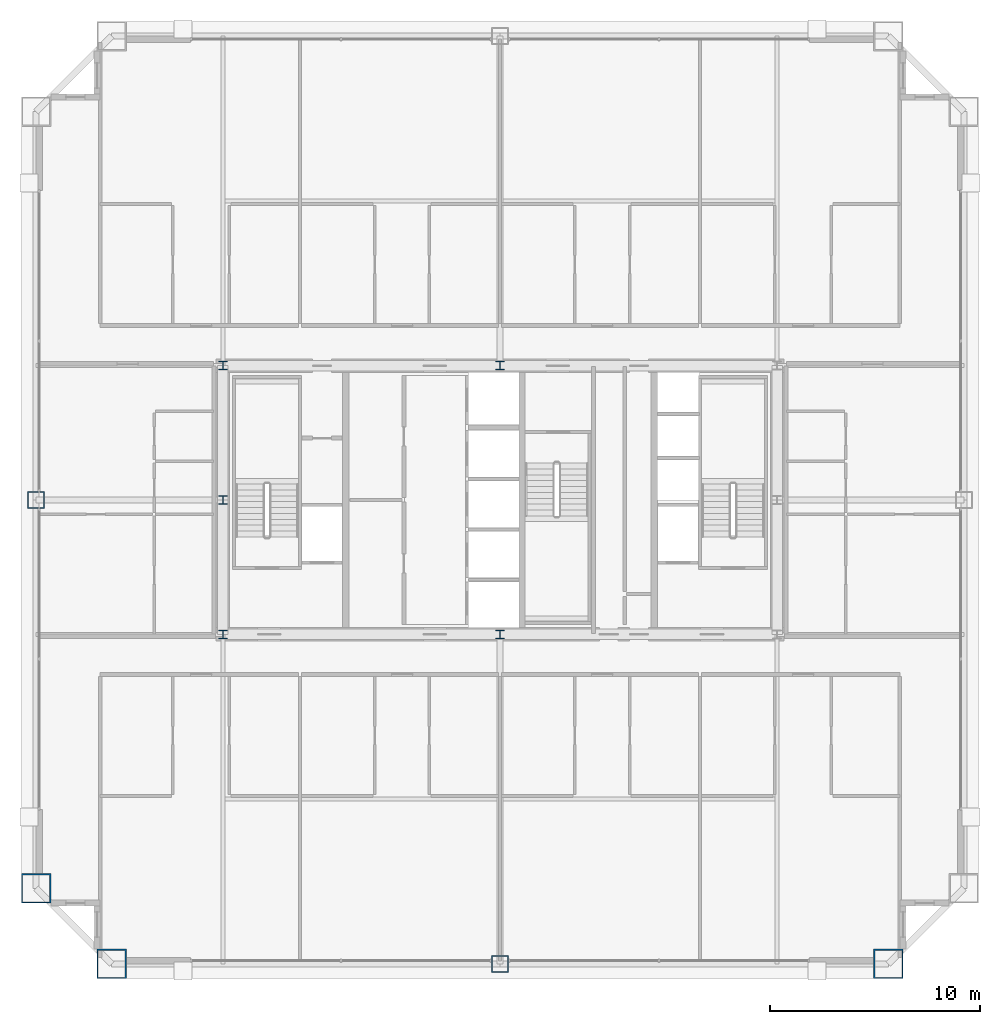
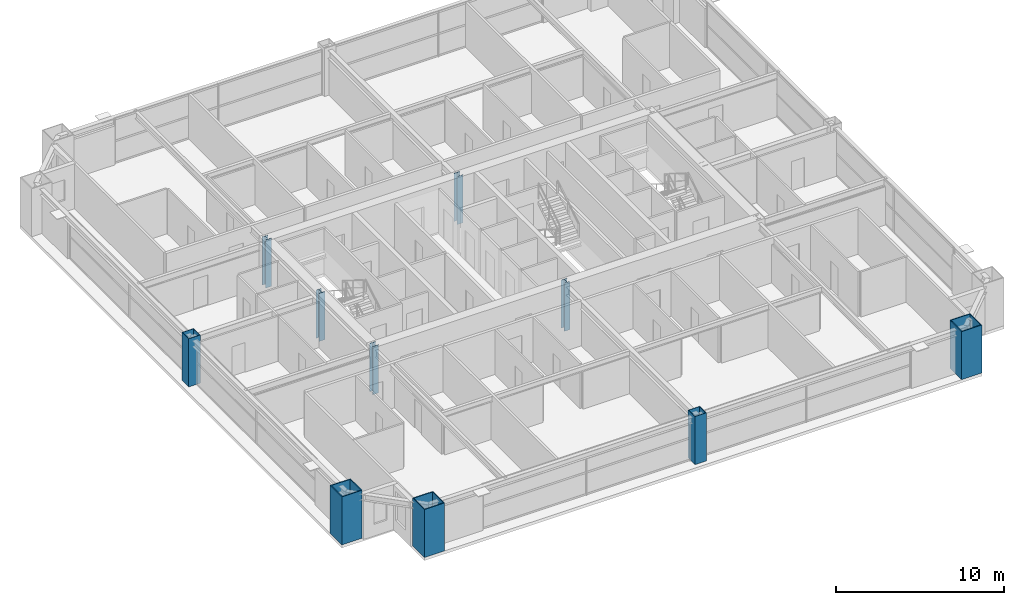
# One storey, part 1 of 38: 10 columns.
"""IFC4 building model written with IfcOpenShell, lengths in metres."""

import ifcopenshell
import ifcopenshell.guid

model = None  # the IFC model being written
_history = None  # IfcOwnerHistory: only IFC2X3 demands one
_inside = {}  # id of a spatial element -> (the spatial element, [elements in it])
_under = {}  # id of a project, library or spatial element -> (it, [spatial elements below it])
_declared = {}  # id of a project -> (the project, [libraries it declares])
_typed = {}  # id of a type object -> (the type object, [elements of that type])
_made_of = {}  # id of a material, layer set ... -> (it, [elements and type objects made of it])


def new_model(schema):
    """Start an empty IFC model of exactly this schema.

    Asked for "IFC4X3", IfcOpenShell would pick the latest addendum, in which some entities
    have other attributes; the version numbers below select the first issue.
    IFC2X3 requires an IfcOwnerHistory on every rooted entity: one is made here for all.
    """
    global model, _history
    if schema == "IFC4X3":
        model = ifcopenshell.file(schema_version=(4, 3, 0, 0))
    else:
        model = ifcopenshell.file(schema=schema)
    _inside.clear()
    _under.clear()
    _declared.clear()
    _typed.clear()
    _made_of.clear()
    _history = None
    if model.schema == "IFC2X3":
        org = make("IfcOrganization", Name="unknown")
        user = make(
            "IfcPersonAndOrganization",
            ThePerson=make("IfcPerson", FamilyName="unknown"),
            TheOrganization=org,
        )
        app = make(
            "IfcApplication",
            ApplicationDeveloper=org,
            Version="unknown",
            ApplicationFullName="unknown",
            ApplicationIdentifier="unknown",
        )
        _history = make(
            "IfcOwnerHistory",
            OwningUser=user,
            OwningApplication=app,
            ChangeAction="ADDED",
            CreationDate=0,
        )
    return model


def make(cls, **values):
    """One entity of the class cls with the attributes given. An attribute that is None is left unset."""
    return model.create_entity(
        cls, **{name: value for name, value in values.items() if value is not None}
    )


def rooted(cls, **values):
    """An entity with a GlobalId (a new one), such as an element, a storey or a relation."""
    return make(cls, GlobalId=ifcopenshell.guid.new(), OwnerHistory=_history, **values)


def si_unit(unit_type, name, prefix=None):
    """IfcSIUnit, for example si_unit("LENGTHUNIT", "METRE", prefix="MILLI")."""
    return make("IfcSIUnit", UnitType=unit_type, Prefix=prefix, Name=name)


def assignment(units):
    """IfcUnitAssignment: the units of a project."""
    return None if units is None else make("IfcUnitAssignment", Units=units)


def point(xyz):
    """IfcCartesianPoint."""
    return None if xyz is None else make("IfcCartesianPoint", Coordinates=xyz)


def direction(xyz):
    """IfcDirection."""
    return None if xyz is None else make("IfcDirection", DirectionRatios=xyz)


def frame(location, z_axis=None, x_axis=None):
    """IfcAxis2Placement3D, a coordinate frame: its origin and axes. An axis left out is left unset."""
    return make(
        "IfcAxis2Placement3D",
        Location=point(location),
        Axis=direction(z_axis),
        RefDirection=direction(x_axis),
    )


def frame_2d(location, x_axis=None):
    """IfcAxis2Placement2D, a coordinate frame in the plane: its origin and x axis."""
    return make(
        "IfcAxis2Placement2D", Location=point(location), RefDirection=direction(x_axis)
    )


def origin():
    """The frame at (0, 0, 0) with its axes left unset."""
    return frame((0.0, 0.0, 0.0))


def origin_2d():
    """The frame at (0, 0) in the plane with its x axis left unset."""
    return frame_2d((0.0, 0.0))


def place(relative_to, where):
    """IfcLocalPlacement: puts the frame where relative to a parent placement (None: the world)."""
    return make(
        "IfcLocalPlacement", PlacementRelTo=relative_to, RelativePlacement=where
    )


def context(
    kind, dimensions, precision=None, world=None, true_north=None, identifier=None
):
    """IfcGeometricRepresentationContext, for example the 3D "Model" context."""
    return make(
        "IfcGeometricRepresentationContext",
        ContextIdentifier=identifier,
        ContextType=kind,
        CoordinateSpaceDimension=dimensions,
        Precision=precision,
        WorldCoordinateSystem=world,
        TrueNorth=true_north,
    )


def subcontext(parent, identifier, kind, view, scale=None):
    """IfcGeometricRepresentationSubContext, for example "Body" below "Model"."""
    return make(
        "IfcGeometricRepresentationSubContext",
        ContextIdentifier=identifier,
        ContextType=kind,
        ParentContext=parent,
        TargetScale=scale,
        TargetView=view,
    )


def project(units=None, contexts=None):
    """IfcProject with its units and contexts."""
    return rooted(
        "IfcProject",
        Name="project",
        RepresentationContexts=contexts,
        UnitsInContext=assignment(units),
    )


def spatial(cls, under=None, at=None, **own):
    """A site, building, storey or space (cls), placed at a placement, below another one or the project."""
    s = rooted(cls, ObjectPlacement=at, **own)
    if under is not None:
        _under.setdefault(under.id(), (under, []))[1].append(s)
    return s


def profile(cls, at=None, kind="AREA", **sizes):
    """A parametric profile (cls). Its sizes go by their IFC names, for example OverallWidth=200.0."""
    return make(cls, ProfileType=kind, Position=at, **sizes)


def hollow_rectangle(**sizes):
    """IfcRectangleHollowProfileDef."""
    return profile("IfcRectangleHollowProfileDef", **sizes)


def i_section(**sizes):
    """IfcIShapeProfileDef."""
    return profile("IfcIShapeProfileDef", **sizes)


def extrude(swept, where, along, depth):
    """IfcExtrudedAreaSolid: the profile swept, set in the frame where, extruded along a direction by depth."""
    return make(
        "IfcExtrudedAreaSolid",
        SweptArea=swept,
        Position=where,
        ExtrudedDirection=direction(along),
        Depth=depth,
    )


def shape(context_of_items, identifier, shape_type, items):
    """IfcShapeRepresentation: the items that make up one representation, for example the "Body"."""
    return make(
        "IfcShapeRepresentation",
        ContextOfItems=context_of_items,
        RepresentationIdentifier=identifier,
        RepresentationType=shape_type,
        Items=items,
    )


def source(mapping_origin, context_of_items, identifier, shape_type, items):
    """IfcRepresentationMap: a shape defined once, which mapped items show again and again."""
    return make(
        "IfcRepresentationMap",
        MappingOrigin=mapping_origin,
        MappedRepresentation=shape(context_of_items, identifier, shape_type, items),
    )


def transform(
    local_origin,
    x_axis=None,
    y_axis=None,
    z_axis=None,
    scale=None,
    scale2=None,
    scale3=None,
    uniform=True,
):
    """IfcCartesianTransformationOperator3D, or its non-uniform kind. x_axis, y_axis, z_axis: its Axis1, 2, 3."""
    if uniform:
        return make(
            "IfcCartesianTransformationOperator3D",
            Axis1=direction(x_axis),
            Axis2=direction(y_axis),
            LocalOrigin=point(local_origin),
            Scale=scale,
            Axis3=direction(z_axis),
        )
    return make(
        "IfcCartesianTransformationOperator3DnonUniform",
        Axis1=direction(x_axis),
        Axis2=direction(y_axis),
        LocalOrigin=point(local_origin),
        Scale=scale,
        Axis3=direction(z_axis),
        Scale2=scale2,
        Scale3=scale3,
    )


def mapped(mapping_source, mapping_target):
    """IfcMappedItem: shows the shape of a source again, moved by a transform."""
    return make(
        "IfcMappedItem", MappingSource=mapping_source, MappingTarget=mapping_target
    )


def material(Name=None, Category=None):
    """IfcMaterial."""
    return make("IfcMaterial", Name=Name, Category=Category)


def material_profile(
    of_material, cross_section, Name=None, Category=None, Priority=None
):
    """IfcMaterialProfile: a cross section and its material."""
    return make(
        "IfcMaterialProfile",
        Name=Name,
        Material=of_material,
        Profile=cross_section,
        Priority=Priority,
        Category=Category,
    )


def profile_set(profiles, Name=None, composite=None):
    """IfcMaterialProfileSet."""
    return make(
        "IfcMaterialProfileSet",
        Name=Name,
        MaterialProfiles=profiles,
        CompositeProfile=composite,
    )


def made_of(thing, what):
    """Note that an element or type object is made of a material, layer set ...; save() writes the relation."""
    if what is not None:
        _made_of.setdefault(what.id(), (what, []))[1].append(thing)
    return thing


def type_object(cls, material=None, **own):
    """A type object (cls), such as IfcWallType, which elements share."""
    return made_of(rooted(cls, **own), material)


def element(
    cls,
    number,
    at=None,
    inside=None,
    cuts=None,
    type_object=None,
    material=None,
    context=None,
    identifier="Body",
    shape_type=None,
    held_by="IfcProductDefinitionShape",
    body=None,
    shapes=None,
    **own,
):
    """One element of the class cls, such as IfcWall. Its Tag is "e" and its number.

    at: its placement. inside: the storey or other place that contains it. cuts: it is an
    opening in that element (IfcRelVoidsElement). A single representation is given by context,
    identifier, shape_type and body (its items); several are given by shapes. held_by: the class
    of the entity that holds the representations. save() writes the other relations.
    """
    e = rooted(cls, Tag="e%d" % number, ObjectPlacement=at, **own)
    if body is not None:
        shapes = [shape(context, identifier, shape_type, body)]
    if shapes is not None:
        e.Representation = make(held_by, Representations=shapes)
    if inside is not None:
        _inside.setdefault(inside.id(), (inside, []))[1].append(e)
    if cuts is not None:
        rooted(
            "IfcRelVoidsElement", RelatingBuildingElement=cuts, RelatedOpeningElement=e
        )
    if type_object is not None:
        _typed.setdefault(type_object.id(), (type_object, []))[1].append(e)
    return made_of(e, material)


def aggregate(whole, parts):
    """IfcRelAggregates: a whole, such as a stair, and the parts it consists of."""
    return rooted("IfcRelAggregates", RelatingObject=whole, RelatedObjects=parts)


def save(model, path):
    """Write the relations noted so far, then the file.

    IfcRelAggregates (storeys below a building ...), IfcRelContainedInSpatialStructure (elements
    in a storey), IfcRelDefinesByType, IfcRelAssociatesMaterial and IfcRelDeclares: one each for
    every whole, place, type object, material and project.
    """
    for whole, parts in _under.values():
        aggregate(whole, parts)
    for where, things in _inside.values():
        rooted(
            "IfcRelContainedInSpatialStructure",
            RelatedElements=things,
            RelatingStructure=where,
        )
    for kind, things in _typed.values():
        rooted("IfcRelDefinesByType", RelatedObjects=things, RelatingType=kind)
    for what, things in _made_of.values():
        rooted("IfcRelAssociatesMaterial", RelatedObjects=things, RelatingMaterial=what)
    for by, libraries in _declared.values():
        rooted("IfcRelDeclares", RelatingContext=by, RelatedDefinitions=libraries)
    model.write(path)


model = new_model("IFC4")

# Units and contexts
model_context = context("Model", 3, precision=1e-05, world=origin(), true_north=direction((0.0, 1.0)))
body_context = subcontext(model_context, "Body", "Model", "MODEL_VIEW")
ifc_project = project(units=[si_unit("LENGTHUNIT", "METRE"), si_unit("AREAUNIT", "SQUARE_METRE"), si_unit("VOLUMEUNIT", "CUBIC_METRE"), si_unit("PLANEANGLEUNIT", "RADIAN"), si_unit("MASSUNIT", "GRAM", prefix="KILO"), si_unit("THERMODYNAMICTEMPERATUREUNIT", "KELVIN"), si_unit("POWERUNIT", "WATT")], contexts=[model_context])

# Site, building, storey
site_placement = place(None, origin())
site = spatial("IfcSite", under=ifc_project, at=site_placement, CompositionType="ELEMENT")
building_placement = place(site_placement, origin())
building = spatial("IfcBuilding", under=site, at=building_placement, Name="Yuzanri Waterfront Tower", CompositionType="ELEMENT")
storey_placement = place(building_placement, frame((0.0, 0.0, 181.0)))
storey = spatial("IfcBuildingStorey", under=building, at=storey_placement, Name="L47", CompositionType="ELEMENT", Elevation=181.0)

# Columns
ifc_material_1 = material(Name="Steel Q355B", Category="steel")
ifc_material_profile_1 = material_profile(ifc_material_1, i_section(OverallWidth=0.39990234375, OverallDepth=0.39990234375, WebThickness=0.012939453125, FlangeThickness=0.02099609375, at=origin_2d()), Name="HW 400x400x13x21")
ifc_profile_set_1 = profile_set([ifc_material_profile_1], Name="Steel Q355B")
column_type_1 = type_object("IfcColumnType", Name="Core Post Q355B HW 400x400x13x21", PredefinedType="COLUMN", material=ifc_profile_set_1)
shared_shape_1 = source(origin(), body_context, "Body", "SweptSolid", [
    extrude(i_section(OverallWidth=0.39990234375, OverallDepth=0.39990234375, WebThickness=0.012939453125, FlangeThickness=0.02099609375, at=origin_2d()), origin(), (0.0, 0.0, 1.0), 3.5),
])
for number, where, z_axis, x_axis, name in (
    (1, (23.800048828125, 19.39990234375, 0.0), (0.0, 0.0, 1.0), (1.0, 0.0, 0.0), "L47 Core Boundary Column CP1"),
    (2, (37.0, 19.39990234375, 0.0), (0.0, 0.0, 1.0), (1.0, 0.0, 0.0), "L47 Core Boundary Column CP2"),
    (3, (23.800048828125, 25.800048828125, 0.0), (0.0, 0.0, 1.0), (1.0, 0.0, 0.0), "L47 Core Boundary Column CP4"),
    (4, (23.800048828125, 32.199951171875, 0.0), (0.0, 0.0, 1.0), (1.0, 0.0, 0.0), "L47 Core Boundary Column CP6"),
    (5, (37.0, 32.199951171875, 0.0), (0.0, 0.0, 1.0), (1.0, 0.0, 0.0), "L47 Core Boundary Column CP7"),
):
    element("IfcColumn", number, at=place(storey_placement, frame(where, z_axis=z_axis, x_axis=x_axis)), inside=storey, type_object=column_type_1, Name=name, PredefinedType="COLUMN", context=body_context, shape_type="MappedRepresentation", body=[
        mapped(shared_shape_1, transform((0.0, 0.0, 0.0), scale=1.0)),
    ])
ifc_material_2 = material(Name="Steel Q420GJC", Category="steel")
ifc_material_profile_2 = material_profile(ifc_material_2, hollow_rectangle(XDim=1.39990234375, YDim=1.39990234375, WallThickness=0.06005859375, at=origin_2d()), Name="RHS 1400x1400x60")
ifc_profile_set_2 = profile_set([ifc_material_profile_2], Name="Steel Q420GJC")
column_type_2 = type_object("IfcColumnType", Name="Mega Column Q420GJC RHS 1400x1400x60", PredefinedType="COLUMN", material=ifc_profile_set_2)
shared_shape_2 = source(origin(), body_context, "Body", "SweptSolid", [
    extrude(hollow_rectangle(XDim=1.39990234375, YDim=1.39990234375, WallThickness=0.06005859375, at=origin_2d()), origin(), (0.0, 0.0, 1.0), 3.5),
])
for number, where, z_axis, x_axis, name in (
    (6, (18.5, 3.699951171875, 0.0), (0.0, 0.0, 1.0), (1.0, 0.0, 0.0), "L47 Perimeter Mega Column S1"),
    (7, (55.5, 3.699951171875, 0.0), (0.0, 0.0, 1.0), (1.0, 0.0, 0.0), "L47 Perimeter Mega Column S3"),
    (8, (14.89990234375, 7.300048828125, 0.0), (0.0, 0.0, 1.0), (1.0, 0.0, 0.0), "L47 Perimeter Mega Column W1"),
):
    element("IfcColumn", number, at=place(storey_placement, frame(where, z_axis=z_axis, x_axis=x_axis)), inside=storey, type_object=column_type_2, Name=name, PredefinedType="COLUMN", context=body_context, shape_type="MappedRepresentation", body=[
        mapped(shared_shape_2, transform((0.0, 0.0, 0.0), scale=1.0)),
    ])
ifc_material_3 = material(Name="Steel Q390GJC", Category="steel")
ifc_material_profile_3 = material_profile(ifc_material_3, hollow_rectangle(XDim=0.800048828125, YDim=0.800048828125, WallThickness=0.035888671875, at=origin_2d()), Name="RHS 800x800x36")
ifc_profile_set_3 = profile_set([ifc_material_profile_3], Name="Steel Q390GJC")
column_type_3 = type_object("IfcColumnType", Name="Frame Column Q390GJC RHS 800x800x36", PredefinedType="COLUMN", material=ifc_profile_set_3)
shared_shape_3 = source(origin(), body_context, "Body", "SweptSolid", [
    extrude(hollow_rectangle(XDim=0.800048828125, YDim=0.800048828125, WallThickness=0.035888671875, at=origin_2d()), origin(), (0.0, 0.0, 1.0), 3.5),
])
for number, where, z_axis, x_axis, name in (
    (9, (37.0, 3.699951171875, 0.0), (0.0, 0.0, 1.0), (1.0, 0.0, 0.0), "L47 Perimeter Frame Column S2"),
    (10, (14.89990234375, 25.800048828125, 0.0), (0.0, 0.0, 1.0), (1.0, 0.0, 0.0), "L47 Perimeter Frame Column W2"),
):
    element("IfcColumn", number, at=place(storey_placement, frame(where, z_axis=z_axis, x_axis=x_axis)), inside=storey, type_object=column_type_3, Name=name, PredefinedType="COLUMN", context=body_context, shape_type="MappedRepresentation", body=[
        mapped(shared_shape_3, transform((0.0, 0.0, 0.0), scale=1.0)),
    ])

save(model, "model.ifc")
